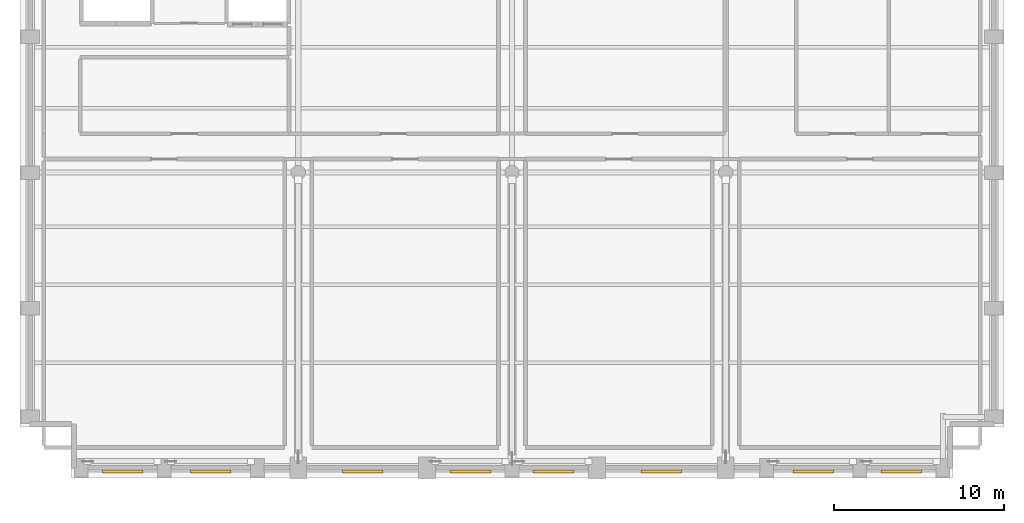
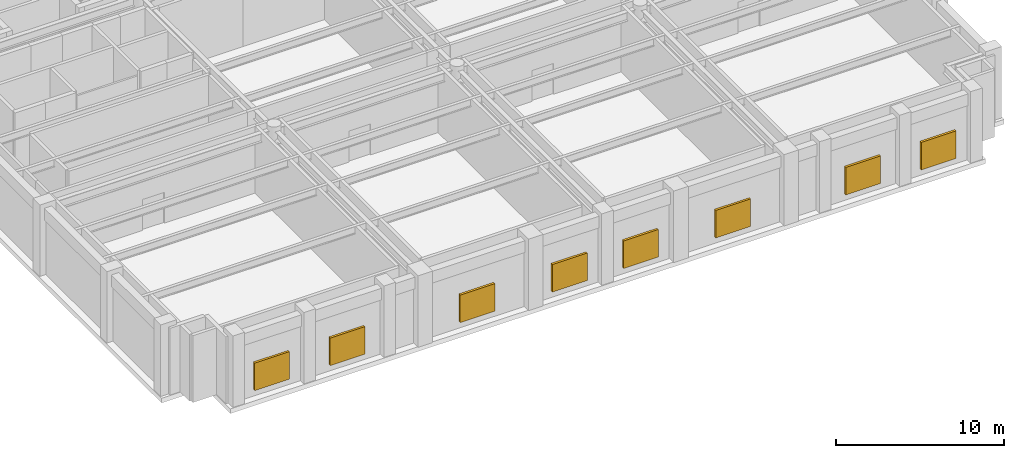
# One storey, part 9 of 11: 8 shading devices.
"""IFC4 building model written with IfcOpenShell, lengths in metres."""

from ifc_helpers import new_model, si_unit, direction, frame, origin, origin_2d, place, context, subcontext, project, spatial, rectangle, extrude, material, type_object, element, save


model = new_model("IFC4")

# Units and contexts
model_context = context("Model", 3, precision=1e-05, world=origin(), true_north=direction((0.0, 1.0)))
body_context = subcontext(model_context, "Body", "Model", "MODEL_VIEW")
ifc_project = project(units=[si_unit("LENGTHUNIT", "METRE"), si_unit("AREAUNIT", "SQUARE_METRE"), si_unit("VOLUMEUNIT", "CUBIC_METRE"), si_unit("PLANEANGLEUNIT", "RADIAN"), si_unit("MASSUNIT", "GRAM", prefix="KILO")], contexts=[model_context])

# Site, building, storey
site_placement = place(None, origin())
site = spatial("IfcSite", under=ifc_project, at=site_placement, CompositionType="ELEMENT")
building_placement = place(site_placement, origin())
building = spatial("IfcBuilding", under=site, at=building_placement, Name="Sulina Concourse Tower", CompositionType="ELEMENT")
storey_placement = place(building_placement, frame((0.0, 0.0, 160.60009765625)))
storey = spatial("IfcBuildingStorey", under=building, at=storey_placement, Name="L39", CompositionType="ELEMENT", Elevation=160.60009765625)

# Shading devices
ifc_material = material(Name="Anodised bronze aluminium", Category="aluminium")
shading_device_type = type_object("IfcShadingDeviceType", Name="Plant Room Acoustic Weather Louvre Bank", PredefinedType="JALOUSIE", material=ifc_material)
for number, where, z_axis, x_axis, name in (
    (1, (6.050048828125, 0.3798828125, 0.5), (0.0, 0.0, 1.0), (1.0, 0.0, 0.0), "L39 acoustic weather louvre S1"),
    (2, (11.25, 0.3798828125, 0.5), (0.0, 0.0, 1.0), (1.0, 0.0, 0.0), "L39 acoustic weather louvre S2"),
    (3, (20.199951171875, 0.3798828125, 0.5), (0.0, 0.0, 1.0), (1.0, 0.0, 0.0), "L39 acoustic weather louvre S4"),
    (4, (26.550048828125, 0.3798828125, 0.5), (0.0, 0.0, 1.0), (1.0, 0.0, 0.0), "L39 acoustic weather louvre S5"),
    (5, (31.449951171875, 0.3798828125, 0.5), (0.0, 0.0, 1.0), (1.0, 0.0, 0.0), "L39 acoustic weather louvre S6"),
    (6, (37.800048828125, 0.3798828125, 0.5), (0.0, 0.0, 1.0), (1.0, 0.0, 0.0), "L39 acoustic weather louvre S7"),
    (7, (46.75, 0.3798828125, 0.5), (0.0, 0.0, 1.0), (1.0, 0.0, 0.0), "L39 acoustic weather louvre S9"),
    (8, (51.949951171875, 0.3798828125, 0.5), (0.0, 0.0, 1.0), (1.0, 0.0, 0.0), "L39 acoustic weather louvre S10"),
):
    element("IfcShadingDevice", number, at=place(storey_placement, frame(where, z_axis=z_axis, x_axis=x_axis)), inside=storey, type_object=shading_device_type, Name=name, PredefinedType="JALOUSIE", context=body_context, shape_type="SweptSolid", body=[
        extrude(rectangle(XDim=2.39990234375, YDim=0.159912109375, at=origin_2d()), origin(), (0.0, 0.0, 1.0), 2.0),
    ])

save(model, "model.ifc")
